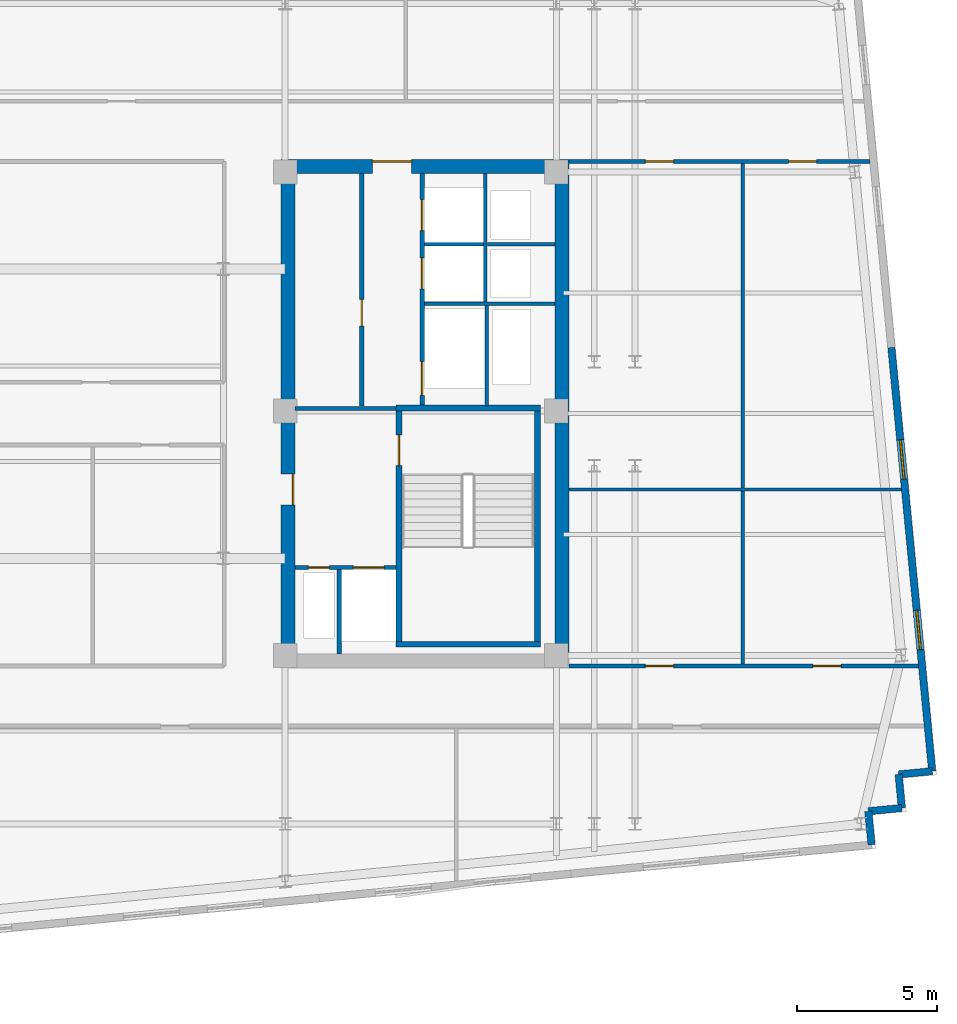
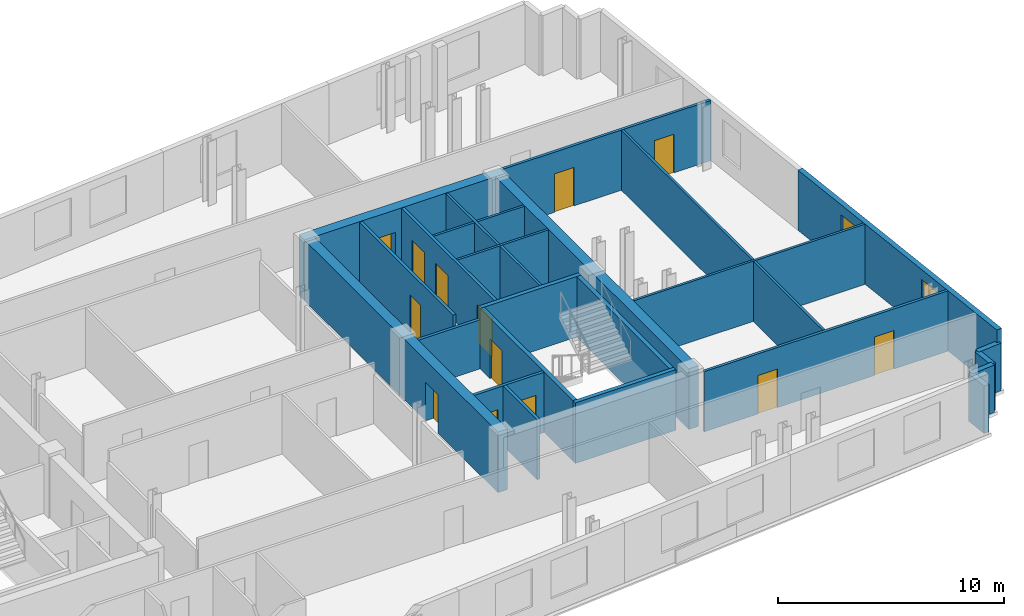
# One storey, part 5 of 8: 26 walls, 13 doors, 2 windows, 15 openings.
"""IFC4 building model written with IfcOpenShell, lengths in metres."""

from ifc_helpers import new_model, si_unit, direction, frame, frame_2d, origin, place, context, subcontext, project, spatial, rectangle, extrude, material, layer, layer_set, type_object, element, fill, save


model = new_model("IFC4")

# Units and contexts
model_context = context("Model", 3, precision=1e-05, world=origin(), true_north=direction((0.0, 1.0)))
body_context = subcontext(model_context, "Body", "Model", "MODEL_VIEW")
ifc_project = project(units=[si_unit("LENGTHUNIT", "METRE"), si_unit("AREAUNIT", "SQUARE_METRE"), si_unit("VOLUMEUNIT", "CUBIC_METRE"), si_unit("PLANEANGLEUNIT", "RADIAN"), si_unit("MASSUNIT", "GRAM", prefix="KILO")], contexts=[model_context])

# Site, building, storey
site_placement = place(None, origin())
site = spatial("IfcSite", under=ifc_project, at=site_placement, CompositionType="ELEMENT")
building_placement = place(site_placement, origin())
building = spatial("IfcBuilding", under=site, at=building_placement, Name="Velakula Bourse", CompositionType="ELEMENT")
storey_placement = place(building_placement, frame((0.0, 0.0, 258.60009765625)))
storey = spatial("IfcBuildingStorey", under=building, at=storey_placement, Name="L70", CompositionType="ELEMENT", Elevation=258.60009765625)

# Wall, opening, door
ifc_material_1 = material(Name="Concrete M50 (fck 50 MPa)", Category="concrete")
ifc_layer_1 = layer(ifc_material_1, 0.2099609375, Name="Concrete M50 (fck 50 MPa)", Category="concrete")
ifc_layer_set_1 = layer_set([ifc_layer_1], Name="Concrete M50 (fck 50 MPa)")
wall_type_1 = type_object("IfcWallType", Name="WL-CORE-210", PredefinedType="SHEAR", material=ifc_layer_set_1)
wall_1_placement = place(storey_placement, frame((12.9951171875, -8.10009765625, 0.0), z_axis=(0.0, 0.0, 1.0), x_axis=(0.0, 1.0, 0.0)))
wall_1 = element("IfcWall", 1, at=wall_1_placement, inside=storey, type_object=wall_type_1, Name="L70 Core E Stairwell Shear Wall IN", PredefinedType="SHEAR", context=body_context, shape_type="SweptSolid", body=[
    extrude(rectangle(XDim=8.2001953125, YDim=0.2099609375, at=frame_2d((4.10009765625, 0.0))), origin(), (0.0, 0.0, 1.0), 3.27001953125),
])
opening_1_placement = place(wall_1_placement, frame((6.25, 0.0, 0.0)))
opening_1 = element("IfcOpeningElement", 2, at=opening_1_placement, cuts=wall_1, Name="Opening D-STE1", PredefinedType="OPENING", context=body_context, shape_type="SweptSolid", body=[
    extrude(rectangle(XDim=1.10009765625, YDim=2.14990234375, at=frame_2d((0.550048828125, 1.074951171875))), frame((0.0, 0.114990234375, 0.0), z_axis=(0.0, -1.0, 0.0), x_axis=(1.0, 0.0, 0.0)), (0.0, 0.0, 1.0), 0.22998046875),
])
ifc_material_2 = material(Name="Galvanised painted hollow steel fire door", Category="steel")
door_type_1 = type_object("IfcDoorType", Name="DR-FD120-1100x2150", OperationType="NOTDEFINED", PredefinedType="DOOR", material=ifc_material_2)
door_1_placement = place(opening_1_placement, origin())
door_1 = element("IfcDoor", 3, at=door_1_placement, inside=storey, type_object=door_type_1, Name="L70 Stair ST-E1 Fire Door", OperationType="SINGLE_SWING_RIGHT", OverallHeight=2.14990234375, OverallWidth=1.10009765625, PredefinedType="DOOR", context=body_context, shape_type="SweptSolid", body=[
    extrude(rectangle(XDim=1.10009765625, YDim=2.14990234375, at=frame_2d((0.550048828125, 1.074951171875))), frame((0.0, 0.02490234375, 0.0), z_axis=(0.0, -1.0, 0.0), x_axis=(1.0, 0.0, 0.0)), (0.0, 0.0, 1.0), 0.050048828125),
])
fill(opening_1, door_1)

# Walls
wall_2_placement = place(storey_placement, frame((17.925048828125, -8.10009765625, 0.0), z_axis=(0.0, 0.0, 1.0), x_axis=(0.0, 1.0, 0.0)))
element("IfcWall", 4, at=wall_2_placement, inside=storey, type_object=wall_type_1, Name="L70 Core E Stairwell Shear Wall OUT", PredefinedType="SHEAR", context=body_context, shape_type="SweptSolid", body=[
    extrude(rectangle(XDim=8.2001953125, YDim=0.2099609375, at=frame_2d((4.10009765625, 0.0))), origin(), (0.0, 0.0, 1.0), 3.27001953125),
])
for number, where, z_axis, x_axis, name in (
    (5, (12.889892578125, -8.205078125, 0.0), (0.0, 0.0, 1.0), (1.0, 0.0, 0.0), "L70 Core E Stairwell Shear Wall S"),
    (6, (18.030029296875, 0.205078125, 0.0), (0.0, 0.0, 1.0), (-1.0, 0.0, 0.0), "L70 Core E Stairwell Shear Wall N"),
):
    element("IfcWall", number, at=place(storey_placement, frame(where, z_axis=z_axis, x_axis=x_axis)), inside=storey, type_object=wall_type_1, Name=name, PredefinedType="SHEAR", context=body_context, shape_type="SweptSolid", body=[
        extrude(rectangle(XDim=5.14013671875, YDim=0.2099609375, at=frame_2d((2.570068359375, 0.0))), origin(), (0.0, 0.0, 1.0), 3.27001953125),
    ])

# Wall, opening, door
ifc_layer_2 = layer(ifc_material_1, 0.5, Name="Concrete M50 (fck 50 MPa)", Category="concrete")
ifc_layer_set_2 = layer_set([ifc_layer_2], Name="Concrete M50 (fck 50 MPa)")
wall_type_2 = type_object("IfcWallType", Name="WL-CORE-500", PredefinedType="SHEAR", material=ifc_layer_set_2)
wall_3_placement = place(storey_placement, frame((8.800048828125, 8.800048828125, 0.0), z_axis=(0.0, 0.0, 1.0), x_axis=(1.0, 0.0, 0.0)))
wall_3 = element("IfcWall", 7, at=wall_3_placement, inside=storey, type_object=wall_type_2, Name="L70 Core E Shear Wall N", PredefinedType="SHEAR", context=body_context, shape_type="SweptSolid", body=[
    extrude(rectangle(XDim=10.25, YDim=0.5, at=frame_2d((5.125, 0.0))), origin(), (0.0, 0.0, 1.0), 3.27001953125),
])
opening_2_placement = place(wall_3_placement, frame((3.25, 0.0, 0.0)))
opening_2 = element("IfcOpeningElement", 8, at=opening_2_placement, cuts=wall_3, Name="Opening D-LLE", PredefinedType="OPENING", context=body_context, shape_type="SweptSolid", body=[
    extrude(rectangle(XDim=1.39990234375, YDim=2.050048828125, at=frame_2d((0.699951171875, 1.02490234375))), frame((0.0, 0.260009765625, 0.0), z_axis=(0.0, -1.0, 0.0), x_axis=(1.0, 0.0, 0.0)), (0.0, 0.0, 1.0), 0.52001953125),
])
ifc_material_3 = material(Name="Fire-rated hardwood flush architectural door", Category="wood")
door_type_2 = type_object("IfcDoorType", Name="DR-DBL-FD60-1400", OperationType="DOUBLE_DOOR_SINGLE_SWING", PredefinedType="DOOR", material=ifc_material_3)
door_2_placement = place(opening_2_placement, origin())
door_2 = element("IfcDoor", 9, at=door_2_placement, inside=storey, type_object=door_type_2, Name="L70 Core E Lift Lobby Corridor Double Door", OperationType="DOUBLE_DOOR_SINGLE_SWING", OverallHeight=2.050048828125, OverallWidth=1.39990234375, PredefinedType="DOOR", context=body_context, shape_type="SweptSolid", body=[
    extrude(rectangle(XDim=1.39990234375, YDim=2.050048828125, at=frame_2d((0.699951171875, 1.02490234375))), frame((0.0, 0.19482421875, 0.0), z_axis=(0.0, -1.0, 0.0), x_axis=(1.0, 0.0, 0.0)), (0.0, 0.0, 1.0), 0.050048828125),
])
fill(opening_2, door_2)

wall_4_placement = place(storey_placement, frame((9.050048828125, -8.550048828125, 0.0), z_axis=(0.0, 0.0, 1.0), x_axis=(0.0, 1.0, 0.0)))
wall_4 = element("IfcWall", 10, at=wall_4_placement, inside=storey, type_object=wall_type_2, Name="L70 Core E Shear Wall W", PredefinedType="SHEAR", context=body_context, shape_type="SweptSolid", body=[
    extrude(rectangle(XDim=17.10009765625, YDim=0.5, at=frame_2d((8.550048828125, 0.0))), origin(), (0.0, 0.0, 1.0), 3.27001953125),
])
opening_3_placement = place(wall_4_placement, frame((5.300048828125, 0.0, 0.0)))
opening_3 = element("IfcOpeningElement", 11, at=opening_3_placement, cuts=wall_4, Name="Opening D-FLE", PredefinedType="OPENING", context=body_context, shape_type="SweptSolid", body=[
    extrude(rectangle(XDim=1.10009765625, YDim=2.080078125, at=frame_2d((0.550048828125, 1.0400390625))), frame((0.0, 0.260009765625, 0.0), z_axis=(0.0, -1.0, 0.0), x_axis=(1.0, 0.0, 0.0)), (0.0, 0.0, 1.0), 0.52001953125),
])
door_type_3 = type_object("IfcDoorType", Name="DR-FD120-1100", OperationType="NOTDEFINED", PredefinedType="DOOR", material=ifc_material_2)
door_3_placement = place(opening_3_placement, origin())
door_3 = element("IfcDoor", 12, at=door_3_placement, inside=storey, type_object=door_type_3, Name="L70 Firefighting Lobby E Corridor Fire Door", OperationType="SINGLE_SWING_RIGHT", OverallHeight=2.080078125, OverallWidth=1.10009765625, PredefinedType="DOOR", context=body_context, shape_type="SweptSolid", body=[
    extrude(rectangle(XDim=1.10009765625, YDim=2.080078125, at=frame_2d((0.550048828125, 1.0400390625))), frame((0.0, -0.15478515625, 0.0), z_axis=(0.0, -1.0, 0.0), x_axis=(1.0, 0.0, 0.0)), (0.0, 0.0, 1.0), 0.050048828125),
])
fill(opening_3, door_3)

# Wall
wall_5_placement = place(storey_placement, frame((18.800048828125, -8.550048828125, 0.0), z_axis=(0.0, 0.0, 1.0), x_axis=(0.0, 1.0, 0.0)))
element("IfcWall", 13, at=wall_5_placement, inside=storey, type_object=wall_type_2, Name="L70 Core E Shear Wall E", PredefinedType="SHEAR", context=body_context, shape_type="SweptSolid", body=[
    extrude(rectangle(XDim=17.10009765625, YDim=0.5, at=frame_2d((8.550048828125, 0.0))), origin(), (0.0, 0.0, 1.0), 3.27001953125),
])

# Wall, openings, windows
ifc_material_4 = material(Name="Buff kilned clay facing brick masonry", Category="masonry")
ifc_layer_3 = layer(ifc_material_4, 0.260009765625, Name="Buff kilned clay facing brick masonry", Category="masonry")
ifc_layer_set_3 = layer_set([ifc_layer_3], Name="Buff kilned clay facing brick masonry")
wall_type_3 = type_object("IfcWallType", Name="WL-EXT-BRK-260", PredefinedType="STANDARD", material=ifc_layer_set_3)
wall_6_placement = place(storey_placement, frame((30.52734375, 2.354248046875, 0.0), z_axis=(0.0, 0.0, 1.0), x_axis=(0.095850890337, -0.995395703638, 0.0)))
wall_6 = element("IfcWall", 14, at=wall_6_placement, inside=storey, type_object=wall_type_3, Name="L70 E Brick End Wall W1", PredefinedType="STANDARD", context=body_context, shape_type="SweptSolid", body=[
    extrude(rectangle(XDim=15.150146484375, YDim=0.260009765625, at=frame_2d((7.5751953125, 0.0))), origin(), (0.0, 0.0, 1.0), 3.25),
])
opening_4_placement = place(wall_6_placement, frame((3.300048828125, 0.0, 0.760009765625)))
opening_4 = element("IfcOpeningElement", 15, at=opening_4_placement, cuts=wall_6, Name="Opening W-03", PredefinedType="OPENING", context=body_context, shape_type="SweptSolid", body=[
    extrude(rectangle(XDim=1.39990234375, YDim=1.949951171875, at=frame_2d((0.699951171875, 0.97509765625))), frame((0.0, 0.139892578125, 0.0), z_axis=(0.0, -1.0, 0.0), x_axis=(1.0, 0.0, 0.0)), (0.0, 0.0, 1.0), 0.280029296875),
])
opening_5_placement = place(wall_6_placement, frame((9.39990234375, 0.0, 0.760009765625)))
opening_5 = element("IfcOpeningElement", 16, at=opening_5_placement, cuts=wall_6, Name="Opening W-03", PredefinedType="OPENING", context=body_context, shape_type="SweptSolid", body=[
    extrude(rectangle(XDim=1.39990234375, YDim=1.949951171875, at=frame_2d((0.699951171875, 0.97509765625))), frame((0.0, 0.139892578125, 0.0), z_axis=(0.0, -1.0, 0.0), x_axis=(1.0, 0.0, 0.0)), (0.0, 0.0, 1.0), 0.280029296875),
])
ifc_material_5 = material(Name="Double-glazed solar-control Low-E glass", Category="glass")
window_type = type_object("IfcWindowType", Name="WIN-TWR-1400x2100", PartitioningType="SINGLE_PANEL", PredefinedType="WINDOW", material=ifc_material_5)
window_1_placement = place(opening_4_placement, origin())
window_1 = element("IfcWindow", 17, at=window_1_placement, inside=storey, type_object=window_type, Name="L70 Deep-Set Recessed Window 1", OverallHeight=1.949951171875, OverallWidth=1.39990234375, PartitioningType="SINGLE_PANEL", PredefinedType="WINDOW", context=body_context, shape_type="SweptSolid", body=[
    extrude(rectangle(XDim=1.39990234375, YDim=1.949951171875, at=frame_2d((0.699951171875, 0.97509765625))), frame((0.0, 0.030029296875, 0.0), z_axis=(0.0, -1.0, 0.0), x_axis=(1.0, 0.0, 0.0)), (0.0, 0.0, 1.0), 0.06005859375),
])
fill(opening_4, window_1)
window_2_placement = place(opening_5_placement, origin())
window_2 = element("IfcWindow", 18, at=window_2_placement, inside=storey, type_object=window_type, Name="L70 Deep-Set Recessed Window 2", OverallHeight=1.949951171875, OverallWidth=1.39990234375, PartitioningType="SINGLE_PANEL", PredefinedType="WINDOW", context=body_context, shape_type="SweptSolid", body=[
    extrude(rectangle(XDim=1.39990234375, YDim=1.949951171875, at=frame_2d((0.699951171875, 0.97509765625))), frame((0.0, 0.030029296875, 0.0), z_axis=(0.0, -1.0, 0.0), x_axis=(1.0, 0.0, 0.0)), (0.0, 0.0, 1.0), 0.06005859375),
])
fill(opening_5, window_2)

# Walls
for number, where, z_axis, x_axis, name in (
    (19, (29.820556640625, -15.344970703125, 0.0), (0.0, 0.0, 1.0), (-0.096018626938, 0.995379537303, 0.0), "L70 Serrated Corner Brick Wall SE-1"),
    (20, (29.705322265625, -14.150390625, 0.0), (0.0, 0.0, 1.0), (0.995398960025, 0.095817067274, 0.0), "L70 Serrated Corner Brick Wall SE-2"),
):
    element("IfcWall", number, at=place(storey_placement, frame(where, z_axis=z_axis, x_axis=x_axis)), inside=storey, type_object=wall_type_3, Name=name, PredefinedType="STANDARD", context=body_context, shape_type="SweptSolid", body=[
        extrude(rectangle(XDim=1.2001953125, YDim=0.260009765625, at=frame_2d((0.60009765625, 0.0))), origin(), (0.0, 0.0, 1.0), 2.56494140625),
    ])
wall_7_placement = place(storey_placement, frame((30.89990234375, -14.035400390625, 0.0), z_axis=(0.0, 0.0, 1.0), x_axis=(-0.095836473879, 0.995397091755, 0.0)))
element("IfcWall", 21, at=wall_7_placement, inside=storey, type_object=wall_type_3, Name="L70 Serrated Corner Brick Wall SE-3", PredefinedType="STANDARD", context=body_context, shape_type="SweptSolid", body=[
    extrude(rectangle(XDim=1.199951171875, YDim=0.260009765625, at=frame_2d((0.60009765625, 0.0))), origin(), (0.0, 0.0, 1.0), 2.56494140625),
])
wall_8_placement = place(storey_placement, frame((30.784912109375, -12.841064453125, 0.0), z_axis=(0.0, 0.0, 1.0), x_axis=(0.995398960025, 0.095817067274, 0.0)))
element("IfcWall", 22, at=wall_8_placement, inside=storey, type_object=wall_type_3, Name="L70 Serrated Corner Brick Wall SE-4", PredefinedType="STANDARD", context=body_context, shape_type="SweptSolid", body=[
    extrude(rectangle(XDim=1.2001953125, YDim=0.260009765625, at=frame_2d((0.60009765625, 0.0))), origin(), (0.0, 0.0, 1.0), 2.56494140625),
])
ifc_material_6 = material(Name="Fire-rated double-layer gypsum drywall partition", Category="gypsum")
ifc_layer_4 = layer(ifc_material_6, 0.1201171875, Name="Fire-rated double-layer gypsum drywall partition", Category="gypsum")
ifc_layer_set_4 = layer_set([ifc_layer_4], Name="Fire-rated double-layer gypsum drywall partition")
wall_type_4 = type_object("IfcWallType", Name="WL-PART-120", PredefinedType="STANDARD", material=ifc_layer_set_4)
wall_9_placement = place(storey_placement, frame((13.89990234375, 3.919921875, 0.0), z_axis=(0.0, 0.0, 1.0), x_axis=(1.0, 0.0, 0.0)))
element("IfcWall", 23, at=wall_9_placement, inside=storey, type_object=wall_type_4, Name="L70 Interior Partition WL-CRE-L70-HI-S", PredefinedType="STANDARD", context=body_context, shape_type="SweptSolid", body=[
    extrude(rectangle(XDim=4.650146484375, YDim=0.1201171875, at=frame_2d((2.3251953125, 0.0))), origin(), (0.0, 0.0, 1.0), 3.25),
])
wall_10_placement = place(storey_placement, frame((16.14990234375, 6.030029296875, 0.0), z_axis=(0.0, 0.0, 1.0), x_axis=(1.0, 0.0, 0.0)))
element("IfcWall", 24, at=wall_10_placement, inside=storey, type_object=wall_type_4, Name="L70 Interior Partition WL-CRE-L70-RIS-MID", PredefinedType="STANDARD", context=body_context, shape_type="SweptSolid", body=[
    extrude(rectangle(XDim=2.400146484375, YDim=0.1201171875, at=frame_2d((1.2001953125, 0.0))), origin(), (0.0, 0.0, 1.0), 3.25),
])
wall_11_placement = place(storey_placement, frame((16.074951171875, 3.97998046875, 0.0), z_axis=(0.0, 0.0, 1.0), x_axis=(0.0, 1.0, 0.0)))
element("IfcWall", 25, at=wall_11_placement, inside=storey, type_object=wall_type_4, Name="L70 Interior Partition WL-CRE-L70-RIS-F", PredefinedType="STANDARD", context=body_context, shape_type="SweptSolid", body=[
    extrude(rectangle(XDim=4.570068359375, YDim=0.1201171875, at=frame_2d((2.28515625, 0.0))), origin(), (0.0, 0.0, 1.0), 3.25),
])
wall_12_placement = place(storey_placement, frame((13.89990234375, 6.030029296875, 0.0), z_axis=(0.0, 0.0, 1.0), x_axis=(1.0, 0.0, 0.0)))
element("IfcWall", 26, at=wall_12_placement, inside=storey, type_object=wall_type_4, Name="L70 Interior Partition WL-CRE-L70-HI-DIV", PredefinedType="STANDARD", context=body_context, shape_type="SweptSolid", body=[
    extrude(rectangle(XDim=2.10009765625, YDim=0.1201171875, at=frame_2d((1.050048828125, 0.0))), origin(), (0.0, 0.0, 1.0), 3.25),
])
wall_13_placement = place(storey_placement, frame((16.125, 0.27001953125, 0.0), z_axis=(0.0, 0.0, 1.0), x_axis=(0.0, 1.0, 0.0)))
element("IfcWall", 27, at=wall_13_placement, inside=storey, type_object=wall_type_4, Name="L70 Interior Partition WL-CRE-L70-SVL-E", PredefinedType="STANDARD", context=body_context, shape_type="SweptSolid", body=[
    extrude(rectangle(XDim=3.590087890625, YDim=0.1201171875, at=frame_2d((1.794921875, 0.0))), origin(), (0.0, 0.0, 1.0), 3.25),
])
wall_14_placement = place(storey_placement, frame((19.050048828125, -2.699951171875, 0.0), z_axis=(0.0, 0.0, 1.0), x_axis=(1.0, 0.0, 0.0)))
element("IfcWall", 28, at=wall_14_placement, inside=storey, type_object=wall_type_4, Name="L70 Interior Partition WL-INT-L70-E-H", PredefinedType="STANDARD", context=body_context, shape_type="SweptSolid", body=[
    extrude(rectangle(XDim=11.833251953125, YDim=0.1201171875, at=frame_2d((5.91650390625, 0.0))), origin(), (0.0, 0.0, 1.0), 3.25),
])
wall_15_placement = place(storey_placement, frame((25.239013671875, -8.97998046875, 0.0), z_axis=(0.0, 0.0, 1.0), x_axis=(0.0, 1.0, 0.0)))
element("IfcWall", 29, at=wall_15_placement, inside=storey, type_object=wall_type_4, Name="L70 Interior Partition WL-INT-L70-E-V1", PredefinedType="STANDARD", context=body_context, shape_type="SweptSolid", body=[
    extrude(rectangle(XDim=17.9599609375, YDim=0.1201171875, at=frame_2d((8.97998046875, 0.0))), origin(), (0.0, 0.0, 1.0), 3.25),
])

# Wall, openings, doors
ifc_layer_5 = layer(ifc_material_6, 0.139892578125, Name="Fire-rated double-layer gypsum drywall partition", Category="gypsum")
ifc_layer_set_5 = layer_set([ifc_layer_5], Name="Fire-rated double-layer gypsum drywall partition")
wall_type_5 = type_object("IfcWallType", Name="WL-PART-140", PredefinedType="STANDARD", material=ifc_layer_set_5)
wall_16_placement = place(storey_placement, frame((19.050048828125, 8.97998046875, 0.0), z_axis=(0.0, 0.0, 1.0), x_axis=(1.0, 0.0, 0.0)))
wall_16 = element("IfcWall", 30, at=wall_16_placement, inside=storey, type_object=wall_type_5, Name="L70 Interior Partition WL-INT-L70-E-NC", PredefinedType="STANDARD", context=body_context, shape_type="SweptSolid", body=[
    extrude(rectangle(XDim=10.708740234375, YDim=0.139892578125, at=frame_2d((5.3544921875, 0.0))), origin(), (0.0, 0.0, 1.0), 3.25),
])
opening_6_placement = place(wall_16_placement, frame((2.724609375, 0.0, 0.0)))
opening_6 = element("IfcOpeningElement", 31, at=opening_6_placement, cuts=wall_16, Name="Opening D-OF1", PredefinedType="OPENING", context=body_context, shape_type="SweptSolid", body=[
    extrude(rectangle(XDim=1.0, YDim=2.080078125, at=frame_2d((0.5, 1.0400390625))), frame((0.0, 0.079833984375, 0.0), z_axis=(0.0, -1.0, 0.0), x_axis=(1.0, 0.0, 0.0)), (0.0, 0.0, 1.0), 0.159912109375),
])
opening_7_placement = place(wall_16_placement, frame((7.81884765625, 0.0, 0.0)))
opening_7 = element("IfcOpeningElement", 32, at=opening_7_placement, cuts=wall_16, Name="Opening D-OF1", PredefinedType="OPENING", context=body_context, shape_type="SweptSolid", body=[
    extrude(rectangle(XDim=1.0, YDim=2.080078125, at=frame_2d((0.5, 1.0400390625))), frame((0.0, 0.079833984375, 0.0), z_axis=(0.0, -1.0, 0.0), x_axis=(1.0, 0.0, 0.0)), (0.0, 0.0, 1.0), 0.159912109375),
])
door_type_4 = type_object("IfcDoorType", Name="DR-OFF-1000", OperationType="NOTDEFINED", PredefinedType="DOOR", material=ifc_material_3)
door_4_placement = place(opening_6_placement, origin())
door_4 = element("IfcDoor", 33, at=door_4_placement, inside=storey, type_object=door_type_4, Name="L70 Chief Risk Officer Chamber Door", OperationType="SINGLE_SWING_LEFT", OverallHeight=2.080078125, OverallWidth=1.0, PredefinedType="DOOR", context=body_context, shape_type="SweptSolid", body=[
    extrude(rectangle(XDim=1.0, YDim=2.080078125, at=frame_2d((0.5, 1.0400390625))), frame((0.0, 0.02490234375, 0.0), z_axis=(0.0, -1.0, 0.0), x_axis=(1.0, 0.0, 0.0)), (0.0, 0.0, 1.0), 0.050048828125),
])
fill(opening_6, door_4)
door_5_placement = place(opening_7_placement, origin())
door_5 = element("IfcDoor", 34, at=door_5_placement, inside=storey, type_object=door_type_4, Name="L70 Listing Committee Chamber Door", OperationType="SINGLE_SWING_RIGHT", OverallHeight=2.080078125, OverallWidth=1.0, PredefinedType="DOOR", context=body_context, shape_type="SweptSolid", body=[
    extrude(rectangle(XDim=1.0, YDim=2.080078125, at=frame_2d((0.5, 1.0400390625))), frame((0.0, 0.02490234375, 0.0), z_axis=(0.0, -1.0, 0.0), x_axis=(1.0, 0.0, 0.0)), (0.0, 0.0, 1.0), 0.050048828125),
])
fill(opening_7, door_5)

wall_17_placement = place(storey_placement, frame((19.050048828125, -8.97998046875, 0.0), z_axis=(0.0, 0.0, 1.0), x_axis=(1.0, 0.0, 0.0)))
wall_17 = element("IfcWall", 35, at=wall_17_placement, inside=storey, type_object=wall_type_5, Name="L70 Interior Partition WL-INT-L70-E-SC", PredefinedType="STANDARD", context=body_context, shape_type="SweptSolid", body=[
    extrude(rectangle(XDim=12.43798828125, YDim=0.139892578125, at=frame_2d((6.218994140625, 0.0))), origin(), (0.0, 0.0, 1.0), 3.25),
])
opening_8_placement = place(wall_17_placement, frame((2.724609375, 0.0, 0.0)))
opening_8 = element("IfcOpeningElement", 36, at=opening_8_placement, cuts=wall_17, Name="Opening D-OF1", PredefinedType="OPENING", context=body_context, shape_type="SweptSolid", body=[
    extrude(rectangle(XDim=1.0, YDim=2.080078125, at=frame_2d((0.5, 1.0400390625))), frame((0.0, 0.079833984375, 0.0), z_axis=(0.0, -1.0, 0.0), x_axis=(1.0, 0.0, 0.0)), (0.0, 0.0, 1.0), 0.159912109375),
])
opening_9_placement = place(wall_17_placement, frame((8.68359375, 0.0, 0.0)))
opening_9 = element("IfcOpeningElement", 37, at=opening_9_placement, cuts=wall_17, Name="Opening D-OF1", PredefinedType="OPENING", context=body_context, shape_type="SweptSolid", body=[
    extrude(rectangle(XDim=1.0, YDim=2.080078125, at=frame_2d((0.5, 1.0400390625))), frame((0.0, 0.079833984375, 0.0), z_axis=(0.0, -1.0, 0.0), x_axis=(1.0, 0.0, 0.0)), (0.0, 0.0, 1.0), 0.159912109375),
])
door_6_placement = place(opening_8_placement, origin())
door_6 = element("IfcDoor", 38, at=door_6_placement, inside=storey, type_object=door_type_4, Name="L70 Chief Risk Officer Chamber Door", OperationType="SINGLE_SWING_LEFT", OverallHeight=2.080078125, OverallWidth=1.0, PredefinedType="DOOR", context=body_context, shape_type="SweptSolid", body=[
    extrude(rectangle(XDim=1.0, YDim=2.080078125, at=frame_2d((0.5, 1.0400390625))), frame((0.0, 0.02490234375, 0.0), z_axis=(0.0, -1.0, 0.0), x_axis=(1.0, 0.0, 0.0)), (0.0, 0.0, 1.0), 0.050048828125),
])
fill(opening_8, door_6)
door_7_placement = place(opening_9_placement, origin())
door_7 = element("IfcDoor", 39, at=door_7_placement, inside=storey, type_object=door_type_4, Name="L70 Listing Committee Chamber Door", OperationType="SINGLE_SWING_RIGHT", OverallHeight=2.080078125, OverallWidth=1.0, PredefinedType="DOOR", context=body_context, shape_type="SweptSolid", body=[
    extrude(rectangle(XDim=1.0, YDim=2.080078125, at=frame_2d((0.5, 1.0400390625))), frame((0.0, 0.02490234375, 0.0), z_axis=(0.0, -1.0, 0.0), x_axis=(1.0, 0.0, 0.0)), (0.0, 0.0, 1.0), 0.050048828125),
])
fill(opening_9, door_7)

ifc_material_7 = material(Name="Autoclaved aerated concrete blockwork masonry", Category="masonry")
ifc_layer_6 = layer(ifc_material_7, 0.14990234375, Name="Autoclaved aerated concrete blockwork masonry", Category="masonry")
ifc_layer_set_6 = layer_set([ifc_layer_6], Name="Autoclaved aerated concrete blockwork masonry")
wall_type_6 = type_object("IfcWallType", Name="WL-SHAFT-150", PredefinedType="STANDARD", material=ifc_layer_set_6)
wall_18_placement = place(storey_placement, frame((9.300048828125, -5.47509765625, 0.0), z_axis=(0.0, 0.0, 1.0), x_axis=(1.0, 0.0, 0.0)))
wall_18 = element("IfcWall", 40, at=wall_18_placement, inside=storey, type_object=wall_type_6, Name="L70 Interior Partition WL-CRE-L70-FFL-N", PredefinedType="STANDARD", context=body_context, shape_type="SweptSolid", body=[
    extrude(rectangle(XDim=3.594970703125, YDim=0.14990234375, at=frame_2d((1.79736328125, 0.0))), origin(), (0.0, 0.0, 1.0), 3.25),
])
opening_10_placement = place(wall_18_placement, frame((2.074951171875, 0.0, 0.0)))
opening_10 = element("IfcOpeningElement", 41, at=opening_10_placement, cuts=wall_18, Name="Opening LD-FFL-2", PredefinedType="OPENING", context=body_context, shape_type="SweptSolid", body=[
    extrude(rectangle(XDim=1.10009765625, YDim=2.14990234375, at=frame_2d((0.550048828125, 1.074951171875))), frame((0.0, 0.0849609375, 0.0), z_axis=(0.0, -1.0, 0.0), x_axis=(1.0, 0.0, 0.0)), (0.0, 0.0, 1.0), 0.169921875),
])
opening_11_placement = place(wall_18_placement, frame((0.47509765625, 0.0, 0.0)))
opening_11 = element("IfcOpeningElement", 42, at=opening_11_placement, cuts=wall_18, Name="Opening D-RS1", PredefinedType="OPENING", context=body_context, shape_type="SweptSolid", body=[
    extrude(rectangle(XDim=0.75, YDim=2.050048828125, at=frame_2d((0.375, 1.02490234375))), frame((0.0, 0.0849609375, 0.0), z_axis=(0.0, -1.0, 0.0), x_axis=(1.0, 0.0, 0.0)), (0.0, 0.0, 1.0), 0.169921875),
])
door_type_5 = type_object("IfcDoorType", Name="DR-RISER-800", OperationType="NOTDEFINED", PredefinedType="DOOR", material=ifc_material_2)
door_8_placement = place(opening_11_placement, origin())
door_8 = element("IfcDoor", 43, at=door_8_placement, inside=storey, type_object=door_type_5, Name="L70 Fire Riser Access Door", OperationType="SINGLE_SWING_LEFT", OverallHeight=2.050048828125, OverallWidth=0.75, PredefinedType="DOOR", context=body_context, shape_type="SweptSolid", body=[
    extrude(rectangle(XDim=0.75, YDim=2.050048828125, at=frame_2d((0.375, 1.02490234375))), frame((0.0, 0.02490234375, 0.0), z_axis=(0.0, -1.0, 0.0), x_axis=(1.0, 0.0, 0.0)), (0.0, 0.0, 1.0), 0.050048828125),
])
fill(opening_11, door_8)
ifc_material_8 = material(Name="Brushed grade 316 stainless steel", Category="steel")
door_type_6 = type_object("IfcDoorType", Name="DR-SLIDE-FFL-1100", OperationType="DOUBLE_DOOR_SLIDING", PredefinedType="DOOR", material=ifc_material_8)
door_9_placement = place(opening_10_placement, origin())
door_9 = element("IfcDoor", 44, at=door_9_placement, inside=storey, type_object=door_type_6, Name="L70 Firefighting Lift FFL-2 Sliding Landing Door", OperationType="DOUBLE_DOOR_SLIDING", OverallHeight=2.14990234375, OverallWidth=1.10009765625, PredefinedType="DOOR", context=body_context, shape_type="SweptSolid", body=[
    extrude(rectangle(XDim=1.10009765625, YDim=2.14990234375, at=frame_2d((0.550048828125, 1.074951171875))), frame((0.0, 0.02490234375, 0.0), z_axis=(0.0, -1.0, 0.0), x_axis=(1.0, 0.0, 0.0)), (0.0, 0.0, 1.0), 0.050048828125),
])
fill(opening_10, door_9)

# Walls
wall_19_placement = place(storey_placement, frame((10.875, -8.550048828125, 0.0), z_axis=(0.0, 0.0, 1.0), x_axis=(0.0, 1.0, 0.0)))
element("IfcWall", 45, at=wall_19_placement, inside=storey, type_object=wall_type_6, Name="L70 Interior Partition WL-CRE-L70-FR-DIV", PredefinedType="STANDARD", context=body_context, shape_type="SweptSolid", body=[
    extrude(rectangle(XDim=3.0, YDim=0.14990234375, at=frame_2d((1.5, 0.0))), origin(), (0.0, 0.0, 1.0), 3.25),
])
wall_20_placement = place(storey_placement, frame((9.300048828125, 0.18994140625, 0.0), z_axis=(0.0, 0.0, 1.0), x_axis=(1.0, 0.0, 0.0)))
element("IfcWall", 46, at=wall_20_placement, inside=storey, type_object=wall_type_6, Name="L70 Interior Partition WL-CRE-L70-FF-TOP", PredefinedType="STANDARD", context=body_context, shape_type="SweptSolid", body=[
    extrude(rectangle(XDim=3.58984375, YDim=0.14990234375, at=frame_2d((1.794921875, 0.0))), origin(), (0.0, 0.0, 1.0), 2.64501953125),
])

# Wall, opening, door
wall_21_placement = place(storey_placement, frame((11.675048828125, 0.27001953125, 0.0), z_axis=(0.0, 0.0, 1.0), x_axis=(0.0, 1.0, 0.0)))
wall_21 = element("IfcWall", 47, at=wall_21_placement, inside=storey, type_object=wall_type_6, Name="L70 Interior Partition WL-CRE-L70-BANK-F", PredefinedType="STANDARD", context=body_context, shape_type="SweptSolid", body=[
    extrude(rectangle(XDim=8.280029296875, YDim=0.14990234375, at=frame_2d((4.14013671875, 0.0))), origin(), (0.0, 0.0, 1.0), 3.25),
])
opening_12_placement = place(wall_21_placement, frame((2.85009765625, 0.0, 0.0)))
opening_12 = element("IfcOpeningElement", 48, at=opening_12_placement, cuts=wall_21, Name="Opening D-RC5", PredefinedType="OPENING", context=body_context, shape_type="SweptSolid", body=[
    extrude(rectangle(XDim=0.949951171875, YDim=2.050048828125, at=frame_2d((0.47509765625, 1.02490234375))), frame((0.0, 0.0849609375, 0.0), z_axis=(0.0, -1.0, 0.0), x_axis=(1.0, 0.0, 0.0)), (0.0, 0.0, 1.0), 0.169921875),
])
door_type_7 = type_object("IfcDoorType", Name="DR-FD60-950x2050", OperationType="NOTDEFINED", PredefinedType="DOOR", material=ifc_material_3)
door_10_placement = place(opening_12_placement, origin())
door_10 = element("IfcDoor", 49, at=door_10_placement, inside=storey, type_object=door_type_7, Name="L70 Reclaimed Multi-Bay Depository Room Door", OperationType="SINGLE_SWING_LEFT", OverallHeight=2.050048828125, OverallWidth=0.949951171875, PredefinedType="DOOR", context=body_context, shape_type="SweptSolid", body=[
    extrude(rectangle(XDim=0.949951171875, YDim=2.050048828125, at=frame_2d((0.47509765625, 1.02490234375))), frame((0.0, 0.02490234375, 0.0), z_axis=(0.0, -1.0, 0.0), x_axis=(1.0, 0.0, 0.0)), (0.0, 0.0, 1.0), 0.050048828125),
])
fill(opening_12, door_10)

# Wall, openings, doors
wall_22_placement = place(storey_placement, frame((13.824951171875, 0.27001953125, 0.0), z_axis=(0.0, 0.0, 1.0), x_axis=(0.0, 1.0, 0.0)))
wall_22 = element("IfcWall", 50, at=wall_22_placement, inside=storey, type_object=wall_type_6, Name="L70 Interior Partition WL-CRE-L70-OUT-F", PredefinedType="STANDARD", context=body_context, shape_type="SweptSolid", body=[
    extrude(rectangle(XDim=8.280029296875, YDim=0.14990234375, at=frame_2d((4.14013671875, 0.0))), origin(), (0.0, 0.0, 1.0), 3.25),
])
opening_13_placement = place(wall_22_placement, frame((4.175048828125, 0.0, 0.0)))
opening_13 = element("IfcOpeningElement", 51, at=opening_13_placement, cuts=wall_22, Name="Opening LD-P11", PredefinedType="OPENING", context=body_context, shape_type="SweptSolid", body=[
    extrude(rectangle(XDim=1.10009765625, YDim=2.10009765625, at=frame_2d((0.550048828125, 1.050048828125))), frame((0.0, 0.0849609375, 0.0), z_axis=(0.0, -1.0, 0.0), x_axis=(1.0, 0.0, 0.0)), (0.0, 0.0, 1.0), 0.169921875),
])
opening_14_placement = place(wall_22_placement, frame((6.2451171875, 0.0, 0.0)))
opening_14 = element("IfcOpeningElement", 52, at=opening_14_placement, cuts=wall_22, Name="Opening LD-P12", PredefinedType="OPENING", context=body_context, shape_type="SweptSolid", body=[
    extrude(rectangle(XDim=1.10009765625, YDim=2.10009765625, at=frame_2d((0.550048828125, 1.050048828125))), frame((0.0, 0.0849609375, 0.0), z_axis=(0.0, -1.0, 0.0), x_axis=(1.0, 0.0, 0.0)), (0.0, 0.0, 1.0), 0.169921875),
])
opening_15_placement = place(wall_22_placement, frame((0.3798828125, 0.0, 0.0)))
opening_15 = element("IfcOpeningElement", 53, at=opening_15_placement, cuts=wall_22, Name="Opening LD-SVL1", PredefinedType="OPENING", context=body_context, shape_type="SweptSolid", body=[
    extrude(rectangle(XDim=1.199951171875, YDim=2.10009765625, at=frame_2d((0.60009765625, 1.050048828125))), frame((0.0, 0.0849609375, 0.0), z_axis=(0.0, -1.0, 0.0), x_axis=(1.0, 0.0, 0.0)), (0.0, 0.0, 1.0), 0.169921875),
])
door_type_8 = type_object("IfcDoorType", Name="DR-SLIDE-LD-1100", OperationType="DOUBLE_DOOR_SLIDING", PredefinedType="DOOR", material=ifc_material_8)
door_11_placement = place(opening_13_placement, origin())
door_11 = element("IfcDoor", 54, at=door_11_placement, inside=storey, type_object=door_type_8, Name="L70 Passenger Lift P11 Sliding Landing Door", OperationType="DOUBLE_DOOR_SLIDING", OverallHeight=2.10009765625, OverallWidth=1.10009765625, PredefinedType="DOOR", context=body_context, shape_type="SweptSolid", body=[
    extrude(rectangle(XDim=1.10009765625, YDim=2.10009765625, at=frame_2d((0.550048828125, 1.050048828125))), frame((0.0, 0.02490234375, 0.0), z_axis=(0.0, -1.0, 0.0), x_axis=(1.0, 0.0, 0.0)), (0.0, 0.0, 1.0), 0.050048828125),
])
fill(opening_13, door_11)
door_12_placement = place(opening_14_placement, origin())
door_12 = element("IfcDoor", 55, at=door_12_placement, inside=storey, type_object=door_type_8, Name="L70 Passenger Lift P12 Sliding Landing Door", OperationType="DOUBLE_DOOR_SLIDING", OverallHeight=2.10009765625, OverallWidth=1.10009765625, PredefinedType="DOOR", context=body_context, shape_type="SweptSolid", body=[
    extrude(rectangle(XDim=1.10009765625, YDim=2.10009765625, at=frame_2d((0.550048828125, 1.050048828125))), frame((0.0, 0.02490234375, 0.0), z_axis=(0.0, -1.0, 0.0), x_axis=(1.0, 0.0, 0.0)), (0.0, 0.0, 1.0), 0.050048828125),
])
fill(opening_14, door_12)
door_type_9 = type_object("IfcDoorType", Name="DR-SLIDE-LD-1200", OperationType="DOUBLE_DOOR_SLIDING", PredefinedType="DOOR", material=ifc_material_8)
door_13_placement = place(opening_15_placement, origin())
door_13 = element("IfcDoor", 56, at=door_13_placement, inside=storey, type_object=door_type_9, Name="L70 Service Lift SVL-1 Sliding Landing Door", OperationType="DOUBLE_DOOR_SLIDING", OverallHeight=2.10009765625, OverallWidth=1.199951171875, PredefinedType="DOOR", context=body_context, shape_type="SweptSolid", body=[
    extrude(rectangle(XDim=1.199951171875, YDim=2.10009765625, at=frame_2d((0.60009765625, 1.050048828125))), frame((0.0, 0.02490234375, 0.0), z_axis=(0.0, -1.0, 0.0), x_axis=(1.0, 0.0, 0.0)), (0.0, 0.0, 1.0), 0.050048828125),
])
fill(opening_15, door_13)

save(model, "model.ifc")
